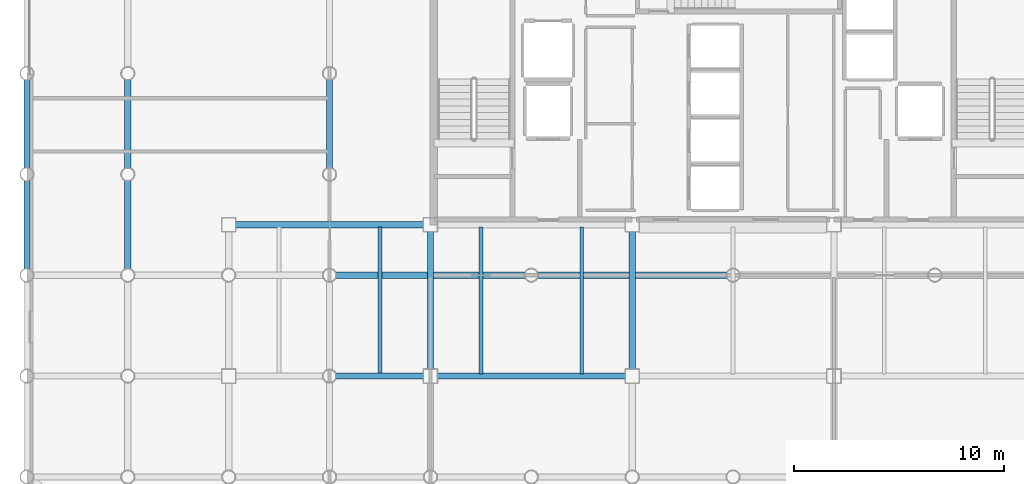
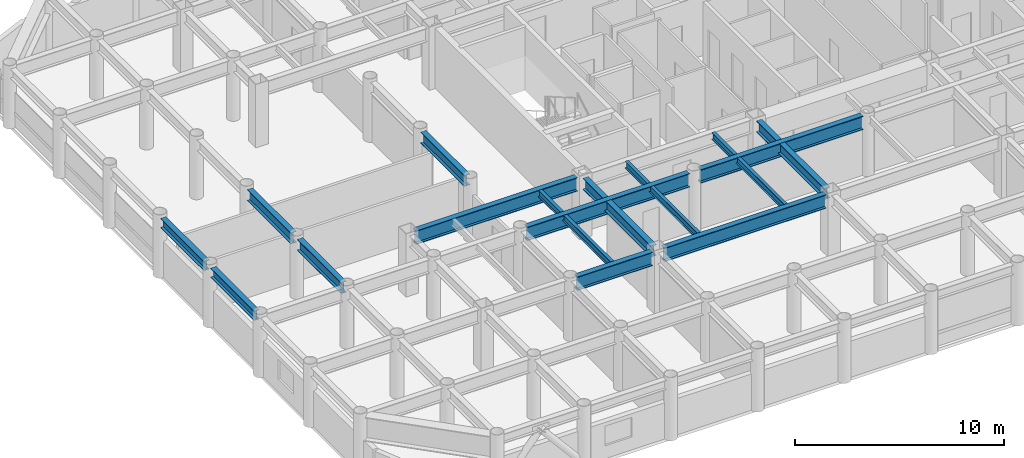
# One storey, part 3 of 19: 15 beams.
"""IFC4 building model written with IfcOpenShell, lengths in metres."""

from ifc_helpers import new_model, si_unit, direction, frame, origin, origin_2d, place, context, subcontext, project, spatial, i_section, extrude, material, material_profile, profile_set, type_object, element, save


model = new_model("IFC4")

# Units and contexts
model_context = context("Model", 3, precision=1e-05, world=origin(), true_north=direction((0.0, 1.0)))
body_context = subcontext(model_context, "Body", "Model", "MODEL_VIEW")
ifc_project = project(units=[si_unit("LENGTHUNIT", "METRE"), si_unit("AREAUNIT", "SQUARE_METRE"), si_unit("VOLUMEUNIT", "CUBIC_METRE"), si_unit("PLANEANGLEUNIT", "RADIAN"), si_unit("MASSUNIT", "GRAM", prefix="KILO")], contexts=[model_context])

# Site, building, storey
site_placement = place(None, origin())
site = spatial("IfcSite", under=ifc_project, at=site_placement, CompositionType="ELEMENT")
building_placement = place(site_placement, origin())
building = spatial("IfcBuilding", under=site, at=building_placement, Name="Kallvorn Hotel Tower", CompositionType="ELEMENT")
storey_placement = place(building_placement, frame((0.0, 0.0, 169.199951171875)))
storey = spatial("IfcBuildingStorey", under=building, at=storey_placement, Name="L42", CompositionType="ELEMENT", Elevation=169.199951171875)

# Beams
ifc_material_1 = material(Name="Structural steel S355JR", Category="steel")
ifc_material_profile_1 = material_profile(ifc_material_1, i_section(OverallWidth=0.300048828125, OverallDepth=0.550048828125, WebThickness=0.014892578125, FlangeThickness=0.029052734375, at=origin_2d()), Name="HE 550 B")
ifc_profile_set_1 = profile_set([ifc_material_profile_1], Name="Structural steel S355JR")
beam_type_1 = type_object("IfcBeamType", Name="BM_HE550B", PredefinedType="SPANDREL", material=ifc_profile_set_1)
for number, where, z_axis, x_axis, name in (
    (1, (-33.60009765625, -9.280029296875, 3.2451171875), (0.0, 1.0, 0.0), (-1.0, 0.0, 0.0), "L43 Perimeter Spandrel 176"),
    (2, (-33.60009765625, -4.47998046875, 3.2451171875), (0.0, 1.0, 0.0), (-1.0, 0.0, 0.0), "L43 Perimeter Spandrel 177"),
):
    element("IfcBeam", number, at=place(storey_placement, frame(where, z_axis=z_axis, x_axis=x_axis)), inside=storey, type_object=beam_type_1, Name=name, PredefinedType="SPANDREL", context=body_context, shape_type="SweptSolid", body=[
        extrude(i_section(OverallWidth=0.300048828125, OverallDepth=0.550048828125, WebThickness=0.014892578125, FlangeThickness=0.029052734375, at=origin_2d()), origin(), (0.0, 0.0, 1.0), 4.159912109375),
    ])
ifc_material_2 = material(Name="Structural steel S355JR", Category="steel")
ifc_material_profile_2 = material_profile(ifc_material_2, i_section(OverallWidth=0.300048828125, OverallDepth=0.64990234375, WebThickness=0.01611328125, FlangeThickness=0.031005859375, at=origin_2d()), Name="HE 650 B")
ifc_profile_set_2 = profile_set([ifc_material_profile_2], Name="Structural steel S355JR")
beam_type_2 = type_object("IfcBeamType", Name="BM_HE650B", PredefinedType="BEAM", material=ifc_profile_set_2)
beam_1_placement = place(storey_placement, frame((-28.800048828125, -9.294921875, 3.195068359375), z_axis=(0.0, 1.0, 0.0), x_axis=(-1.0, 0.0, 0.0)))
element("IfcBeam", 3, at=beam_1_placement, inside=storey, type_object=beam_type_2, Name="L43 Primary Y-Girder 76", PredefinedType="BEAM", context=body_context, shape_type="SweptSolid", body=[
    extrude(i_section(OverallWidth=0.300048828125, OverallDepth=0.64990234375, WebThickness=0.01611328125, FlangeThickness=0.031005859375, at=origin_2d()), origin(), (0.0, 0.0, 1.0), 4.18994140625),
])
for number, where, z_axis, x_axis, name in (
    (4, (-28.800048828125, -4.4951171875, 3.195068359375), (0.0, 1.0, 0.0), (-1.0, 0.0, 0.0), "L43 Primary Y-Girder 77"),
    (5, (-19.199951171875, -4.4951171875, 3.195068359375), (0.0, 1.0, 0.0), (-1.0, 0.0, 0.0), "L43 Primary Y-Girder 93"),
):
    element("IfcBeam", number, at=place(storey_placement, frame(where, z_axis=z_axis, x_axis=x_axis)), inside=storey, type_object=beam_type_2, Name=name, PredefinedType="BEAM", context=body_context, shape_type="SweptSolid", body=[
        extrude(i_section(OverallWidth=0.300048828125, OverallDepth=0.64990234375, WebThickness=0.01611328125, FlangeThickness=0.031005859375, at=origin_2d()), origin(), (0.0, 0.0, 1.0), 4.190185546875),
    ])
for number, where, z_axis, x_axis, name in (
    (6, (-14.39990234375, -14.074951171875, 3.195068359375), (0.0, 1.0, 0.0), (-1.0, 0.0, 0.0), "L43 Primary Y-Girder 100"),
    (7, (-4.800048828125, -14.074951171875, 3.195068359375), (0.0, 1.0, 0.0), (-1.0, 0.0, 0.0), "L43 Primary Y-Girder 108"),
):
    element("IfcBeam", number, at=place(storey_placement, frame(where, z_axis=z_axis, x_axis=x_axis)), inside=storey, type_object=beam_type_2, Name=name, PredefinedType="BEAM", context=body_context, shape_type="SweptSolid", body=[
        extrude(i_section(OverallWidth=0.300048828125, OverallDepth=0.64990234375, WebThickness=0.01611328125, FlangeThickness=0.031005859375, at=origin_2d()), origin(), (0.0, 0.0, 1.0), 6.550048828125),
    ])
ifc_material_3 = material(Name="Structural steel S355JR", Category="steel")
ifc_material_profile_3 = material_profile(ifc_material_3, i_section(OverallWidth=0.300048828125, OverallDepth=0.800048828125, WebThickness=0.017578125, FlangeThickness=0.032958984375, at=origin_2d()), Name="HE 800 B")
ifc_profile_set_3 = profile_set([ifc_material_profile_3], Name="Structural steel S355JR")
beam_type_3 = type_object("IfcBeamType", Name="BM_HE800B", PredefinedType="BEAM", material=ifc_profile_set_3)
beam_2_placement = place(storey_placement, frame((-18.89501953125, -14.39990234375, 3.1201171875), z_axis=(1.0, 0.0, 0.0), x_axis=(0.0, 1.0, 0.0)))
element("IfcBeam", 8, at=beam_2_placement, inside=storey, type_object=beam_type_3, Name="L43 Primary X-Girder 17", PredefinedType="BEAM", context=body_context, shape_type="SweptSolid", body=[
    extrude(i_section(OverallWidth=0.300048828125, OverallDepth=0.800048828125, WebThickness=0.017578125, FlangeThickness=0.032958984375, at=origin_2d()), origin(), (0.0, 0.0, 1.0), 4.169921875),
])
beam_3_placement = place(storey_placement, frame((-14.074951171875, -14.39990234375, 3.1201171875), z_axis=(1.0, 0.0, 0.0), x_axis=(0.0, 1.0, 0.0)))
element("IfcBeam", 9, at=beam_3_placement, inside=storey, type_object=beam_type_3, Name="L43 Primary X-Girder 18", PredefinedType="BEAM", context=body_context, shape_type="SweptSolid", body=[
    extrude(i_section(OverallWidth=0.300048828125, OverallDepth=0.800048828125, WebThickness=0.017578125, FlangeThickness=0.032958984375, at=origin_2d()), origin(), (0.0, 0.0, 1.0), 8.949951171875),
])
for number, where, z_axis, x_axis, name in (
    (10, (-18.89501953125, -9.60009765625, 3.1201171875), (1.0, 0.0, 0.0), (0.0, 1.0, 0.0), "L43 Primary X-Girder 27"),
    (11, (-9.294921875, -9.60009765625, 3.1201171875), (1.0, 0.0, 0.0), (0.0, 1.0, 0.0), "L43 Primary X-Girder 28"),
):
    element("IfcBeam", number, at=place(storey_placement, frame(where, z_axis=z_axis, x_axis=x_axis)), inside=storey, type_object=beam_type_3, Name=name, PredefinedType="BEAM", context=body_context, shape_type="SweptSolid", body=[
        extrude(i_section(OverallWidth=0.300048828125, OverallDepth=0.800048828125, WebThickness=0.017578125, FlangeThickness=0.032958984375, at=origin_2d()), origin(), (0.0, 0.0, 1.0), 8.989990234375),
    ])
beam_4_placement = place(storey_placement, frame((-23.675048828125, -7.199951171875, 3.1201171875), z_axis=(1.0, 0.0, 0.0), x_axis=(0.0, 1.0, 0.0)))
element("IfcBeam", 12, at=beam_4_placement, inside=storey, type_object=beam_type_3, Name="L43 Primary X-Girder 33", PredefinedType="BEAM", context=body_context, shape_type="SweptSolid", body=[
    extrude(i_section(OverallWidth=0.300048828125, OverallDepth=0.800048828125, WebThickness=0.017578125, FlangeThickness=0.032958984375, at=origin_2d()), origin(), (0.0, 0.0, 1.0), 8.949951171875),
])
ifc_material_4 = material(Name="Structural steel S355JR", Category="steel")
ifc_material_profile_4 = material_profile(ifc_material_4, i_section(OverallWidth=0.179931640625, OverallDepth=0.39990234375, WebThickness=0.008544921875, FlangeThickness=0.013427734375, at=origin_2d()), Name="IPE 400")
ifc_profile_set_4 = profile_set([ifc_material_profile_4], Name="Structural steel S355JR")
beam_type_4 = type_object("IfcBeamType", Name="BM_IPE400", PredefinedType="JOIST", material=ifc_profile_set_4)
for number, where, z_axis, x_axis, name in (
    (13, (-16.800048828125, -14.300048828125, 3.320068359375), (0.0, 1.0, 0.0), (-1.0, 0.0, 0.0), "L43 Secondary Composite Joist 194"),
    (14, (-12.0, -14.300048828125, 3.320068359375), (0.0, 1.0, 0.0), (-1.0, 0.0, 0.0), "L43 Secondary Composite Joist 196"),
    (15, (-7.199951171875, -14.300048828125, 3.320068359375), (0.0, 1.0, 0.0), (-1.0, 0.0, 0.0), "L43 Secondary Composite Joist 198"),
):
    element("IfcBeam", number, at=place(storey_placement, frame(where, z_axis=z_axis, x_axis=x_axis)), inside=storey, type_object=beam_type_4, Name=name, PredefinedType="JOIST", context=body_context, shape_type="SweptSolid", body=[
        extrude(i_section(OverallWidth=0.179931640625, OverallDepth=0.39990234375, WebThickness=0.008544921875, FlangeThickness=0.013427734375, at=origin_2d()), origin(), (0.0, 0.0, 1.0), 7.0),
    ])

save(model, "model.ifc")
